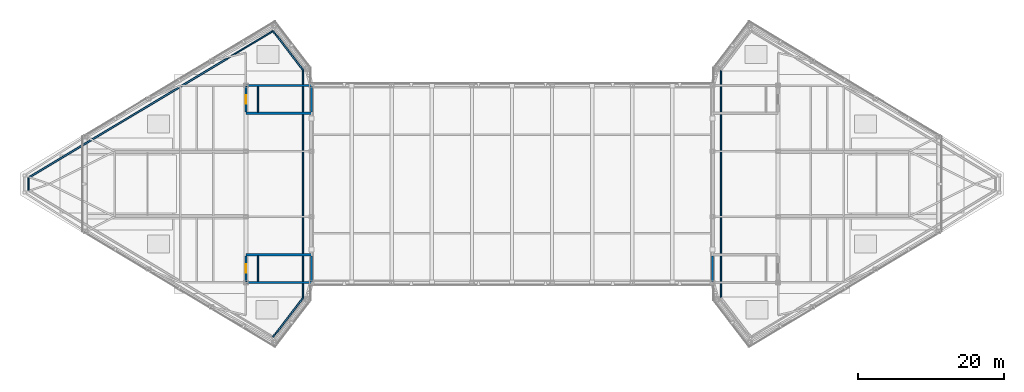
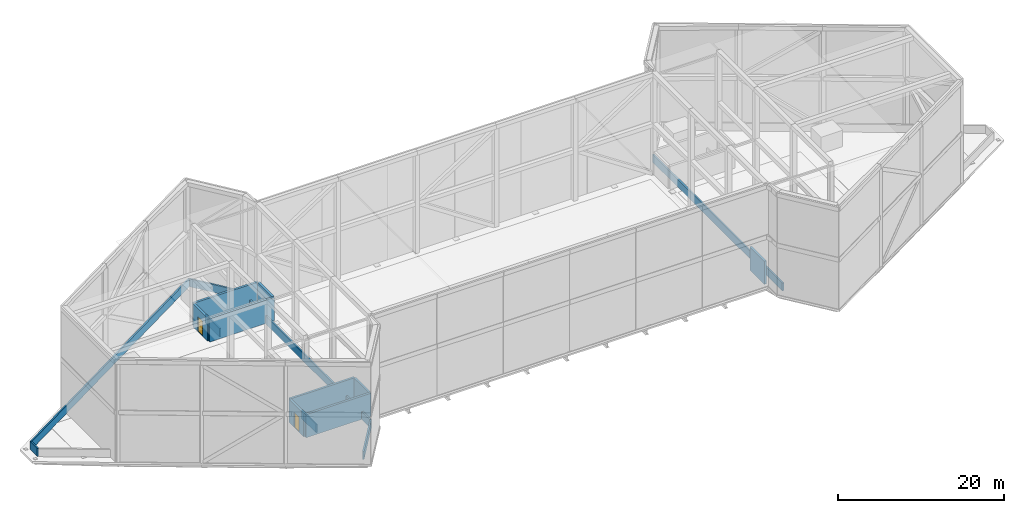
# One storey, part 8 of 16: 17 walls, 2 doors, 2 openings.
"""IFC4 building model written with IfcOpenShell, lengths in metres."""

from ifc_helpers import new_model, si_unit, direction, frame, frame_2d, origin, place, context, subcontext, project, spatial, rectangle, extrude, source, transform, mapped, material, layer, layer_set, type_object, type_shapes, element, fill, save


model = new_model("IFC4")

# Units and contexts
model_context = context("Model", 3, precision=1e-05, world=origin(), true_north=direction((0.0, 1.0)))
body_context = subcontext(model_context, "Body", "Model", "MODEL_VIEW")
ifc_project = project(units=[si_unit("LENGTHUNIT", "METRE"), si_unit("AREAUNIT", "SQUARE_METRE"), si_unit("VOLUMEUNIT", "CUBIC_METRE"), si_unit("PLANEANGLEUNIT", "RADIAN"), si_unit("MASSUNIT", "GRAM", prefix="KILO")], contexts=[model_context])

# Site, building, storey
site_placement = place(None, origin())
site = spatial("IfcSite", under=ifc_project, at=site_placement, CompositionType="ELEMENT")
building_placement = place(site_placement, origin())
building = spatial("IfcBuilding", under=site, at=building_placement, Name="Seokmaru Belvedere", CompositionType="ELEMENT")
storey_placement = place(building_placement, frame((0.0, 0.0, 279.0)))
storey = spatial("IfcBuildingStorey", under=building, at=storey_placement, Name="RF", CompositionType="ELEMENT", Elevation=279.0)

# Walls
ifc_material_1 = material(Name="Concrete C50 (50 MPa)", Category="concrete")
ifc_layer_1 = layer(ifc_material_1, 0.300048828125)
ifc_layer_set_1 = layer_set([ifc_layer_1], Name="Concrete C50 (50 MPa)")
wall_type_1 = type_object("IfcWallType", Name="Internal Core Stair and Hoistway Wall 300", PredefinedType="SHEAR", material=ifc_layer_set_1)
for number, where, z_axis, x_axis, name in (
    (1, (-36.5, -13.5, 0.0), (0.0, 0.0, 1.0), (1.0, 0.0, 0.0), "RF W Stair Shelter Outer Core Wall 1"),
    (2, (-36.5, -9.699951171875, 0.0), (0.0, 0.0, 1.0), (1.0, 0.0, 0.0), "RF W Stair Shelter Inner Core Wall 1"),
):
    element("IfcWall", number, at=place(storey_placement, frame(where, z_axis=z_axis, x_axis=x_axis)), inside=storey, type_object=wall_type_1, Name=name, PredefinedType="SHEAR", context=body_context, shape_type="SweptSolid", body=[
        extrude(rectangle(XDim=9.0, YDim=0.300048828125, at=frame_2d((4.5, 0.0))), origin(), (0.0, 0.0, 1.0), 3.39990234375),
    ])

# Wall, opening, door
wall_1_placement = place(storey_placement, frame((-36.5, -13.35009765625, 0.0), z_axis=(0.0, 0.0, 1.0), x_axis=(0.0, 1.0, 0.0)))
wall_1 = element("IfcWall", 3, at=wall_1_placement, inside=storey, type_object=wall_type_1, Name="RF W Stair Shelter West Core Wall 1", PredefinedType="SHEAR", context=body_context, shape_type="SweptSolid", body=[
    extrude(rectangle(XDim=3.5, YDim=0.300048828125, at=frame_2d((1.75, 0.0))), origin(), (0.0, 0.0, 1.0), 3.39990234375),
])
opening_1_placement = place(wall_1_placement, frame((1.14990234375, 0.0, 0.0)))
opening_1 = element("IfcOpeningElement", 4, at=opening_1_placement, cuts=wall_1, Name="Opening RH1", PredefinedType="OPENING", context=body_context, shape_type="SweptSolid", body=[
    extrude(rectangle(XDim=1.199951171875, YDim=2.199951171875, at=frame_2d((0.60009765625, 1.10009765625))), frame((0.0, 0.16015625, 0.0), z_axis=(0.0, -1.0, 0.0), x_axis=(1.0, 0.0, 0.0)), (0.0, 0.0, 1.0), 0.320068359375),
])
ifc_material_2 = material(Name="Fire-Rated Steel Leaf", Category="steel")
door_type = type_object("IfcDoorType", Name="Weatherproof Fire-Rated Roof Access Trapdoor 1200x2200", OperationType="NOTDEFINED", PredefinedType="TRAPDOOR", material=ifc_material_2)
shared_shape = source(origin(), body_context, "Body", "SweptSolid", [
    extrude(rectangle(XDim=1.199951171875, YDim=2.199951171875, at=frame_2d((0.60009765625, 1.10009765625))), frame((0.0, 0.02490234375, 0.0), z_axis=(0.0, -1.0, 0.0), x_axis=(1.0, 0.0, 0.0)), (0.0, 0.0, 1.0), 0.050048828125),
])
type_shapes(door_type, [shared_shape])
door_1_placement = place(opening_1_placement, origin())
door_1 = element("IfcDoor", 5, at=door_1_placement, inside=storey, type_object=door_type, Name="RF West Stair ST-W1 Roof Access Door", OperationType="SINGLE_SWING_LEFT", OverallHeight=2.199951171875, OverallWidth=1.199951171875, PredefinedType="TRAPDOOR", context=body_context, shape_type="MappedRepresentation", body=[
    mapped(shared_shape, transform((0.0, 0.0, 0.0), scale=1.0)),
])
fill(opening_1, door_1)

# Walls
wall_2_placement = place(storey_placement, frame((-27.5, -13.35009765625, 0.0), z_axis=(0.0, 0.0, 1.0), x_axis=(0.0, 1.0, 0.0)))
element("IfcWall", 6, at=wall_2_placement, inside=storey, type_object=wall_type_1, Name="RF W Stair Shelter East Core Wall 1", PredefinedType="SHEAR", context=body_context, shape_type="SweptSolid", body=[
    extrude(rectangle(XDim=3.5, YDim=0.300048828125, at=frame_2d((1.75, 0.0))), origin(), (0.0, 0.0, 1.0), 3.39990234375),
])
for number, where, z_axis, x_axis, name in (
    (7, (-36.5, 13.5, 0.0), (0.0, 0.0, 1.0), (1.0, 0.0, 0.0), "RF W Stair Shelter Outer Core Wall 2"),
    (8, (-36.5, 9.699951171875, 0.0), (0.0, 0.0, 1.0), (1.0, 0.0, 0.0), "RF W Stair Shelter Inner Core Wall 2"),
):
    element("IfcWall", number, at=place(storey_placement, frame(where, z_axis=z_axis, x_axis=x_axis)), inside=storey, type_object=wall_type_1, Name=name, PredefinedType="SHEAR", context=body_context, shape_type="SweptSolid", body=[
        extrude(rectangle(XDim=9.0, YDim=0.300048828125, at=frame_2d((4.5, 0.0))), origin(), (0.0, 0.0, 1.0), 3.39990234375),
    ])

# Wall, opening, door
wall_3_placement = place(storey_placement, frame((-36.5, 9.85009765625, 0.0), z_axis=(0.0, 0.0, 1.0), x_axis=(0.0, 1.0, 0.0)))
wall_3 = element("IfcWall", 9, at=wall_3_placement, inside=storey, type_object=wall_type_1, Name="RF W Stair Shelter West Core Wall 2", PredefinedType="SHEAR", context=body_context, shape_type="SweptSolid", body=[
    extrude(rectangle(XDim=3.5, YDim=0.300048828125, at=frame_2d((1.75, 0.0))), origin(), (0.0, 0.0, 1.0), 3.39990234375),
])
opening_2_placement = place(wall_3_placement, frame((1.14990234375, 0.0, 0.0)))
opening_2 = element("IfcOpeningElement", 10, at=opening_2_placement, cuts=wall_3, Name="Opening RH1", PredefinedType="OPENING", context=body_context, shape_type="SweptSolid", body=[
    extrude(rectangle(XDim=1.199951171875, YDim=2.199951171875, at=frame_2d((0.60009765625, 1.10009765625))), frame((0.0, 0.16015625, 0.0), z_axis=(0.0, -1.0, 0.0), x_axis=(1.0, 0.0, 0.0)), (0.0, 0.0, 1.0), 0.320068359375),
])
door_2_placement = place(opening_2_placement, origin())
door_2 = element("IfcDoor", 11, at=door_2_placement, inside=storey, type_object=door_type, Name="RF West Stair ST-W2 Roof Access Door", OperationType="SINGLE_SWING_RIGHT", OverallHeight=2.199951171875, OverallWidth=1.199951171875, PredefinedType="TRAPDOOR", context=body_context, shape_type="MappedRepresentation", body=[
    mapped(shared_shape, transform((0.0, 0.0, 0.0), scale=1.0)),
])
fill(opening_2, door_2)

# Walls
for number, where, z_axis, x_axis, name in (
    (12, (-27.5, 9.85009765625, 0.0), (0.0, 0.0, 1.0), (0.0, 1.0, 0.0), "RF W Stair Shelter East Core Wall 2"),
    (13, (27.5, -13.35009765625, 0.0), (0.0, 0.0, 1.0), (0.0, 1.0, 0.0), "RF E Stair Shelter West Core Wall 1"),
):
    element("IfcWall", number, at=place(storey_placement, frame(where, z_axis=z_axis, x_axis=x_axis)), inside=storey, type_object=wall_type_1, Name=name, PredefinedType="SHEAR", context=body_context, shape_type="SweptSolid", body=[
        extrude(rectangle(XDim=3.5, YDim=0.300048828125, at=frame_2d((1.75, 0.0))), origin(), (0.0, 0.0, 1.0), 3.39990234375),
    ])
ifc_material_3 = material(Name="Concrete C40 (40 MPa)", Category="concrete")
ifc_layer_2 = layer(ifc_material_3, 0.219970703125)
ifc_layer_set_2 = layer_set([ifc_layer_2], Name="Concrete C40 (40 MPa)")
wall_type_2 = type_object("IfcWallType", Name="Refuge and Roof Concrete Parapet 220", PredefinedType="PARAPET", material=ifc_layer_set_2)
wall_4_placement = place(storey_placement, frame((-28.64990234375, -15.60888671875, 0.0), z_axis=(0.0, 0.0, 1.0), x_axis=(0.0, 1.0, 0.0)))
element("IfcWall", 14, at=wall_4_placement, inside=storey, type_object=wall_type_2, Name="RF W Plant Deck Curb Parapet 1", PredefinedType="PARAPET", context=body_context, shape_type="SweptSolid", body=[
    extrude(rectangle(XDim=31.2177734375, YDim=0.219970703125, at=frame_2d((15.60888671875, 0.0))), origin(), (0.0, 0.0, 1.0), 1.14990234375),
])
wall_5_placement = place(storey_placement, frame((-28.64990234375, 15.60888671875, 0.0), z_axis=(0.0, 0.0, 1.0), x_axis=(-0.609719455412, 0.792617300904, 0.0)))
element("IfcWall", 15, at=wall_5_placement, inside=storey, type_object=wall_type_2, Name="RF W Plant Deck Curb Parapet 2", PredefinedType="PARAPET", context=body_context, shape_type="SweptSolid", body=[
    extrude(rectangle(XDim=6.784912109375, YDim=0.219970703125, at=frame_2d((3.392578125, 0.0))), origin(), (0.0, 0.0, 1.0), 1.14990234375),
])
wall_6_placement = place(storey_placement, frame((-32.786865234375, 20.98681640625, 0.0), z_axis=(0.0, 0.0, 1.0), x_axis=(-0.857492925713, -0.514495755428, 0.0)))
element("IfcWall", 16, at=wall_6_placement, inside=storey, type_object=wall_type_2, Name="RF W Plant Deck Curb Parapet 3", PredefinedType="PARAPET", context=body_context, shape_type="SweptSolid", body=[
    extrude(rectangle(XDim=39.14111328125, YDim=0.219970703125, at=frame_2d((19.570556640625, 0.0))), origin(), (0.0, 0.0, 1.0), 1.14990234375),
])
wall_7_placement = place(storey_placement, frame((-66.35009765625, 0.848876953125, 0.0), z_axis=(0.0, 0.0, 1.0), x_axis=(0.0, -1.0, 0.0)))
element("IfcWall", 17, at=wall_7_placement, inside=storey, type_object=wall_type_2, Name="RF W Plant Deck Curb Parapet 4", PredefinedType="PARAPET", context=body_context, shape_type="SweptSolid", body=[
    extrude(rectangle(XDim=1.69775390625, YDim=0.219970703125, at=frame_2d((0.848876953125, 0.0))), origin(), (0.0, 0.0, 1.0), 1.14990234375),
])
wall_8_placement = place(storey_placement, frame((-32.786865234375, -20.98681640625, 0.0), z_axis=(0.0, 0.0, 1.0), x_axis=(0.609719455412, 0.792617300904, 0.0)))
element("IfcWall", 18, at=wall_8_placement, inside=storey, type_object=wall_type_2, Name="RF W Plant Deck Curb Parapet 6", PredefinedType="PARAPET", context=body_context, shape_type="SweptSolid", body=[
    extrude(rectangle(XDim=6.784912109375, YDim=0.219970703125, at=frame_2d((3.392578125, 0.0))), origin(), (0.0, 0.0, 1.0), 1.14990234375),
])
wall_9_placement = place(storey_placement, frame((28.64990234375, 15.60888671875, 0.0), z_axis=(0.0, 0.0, 1.0), x_axis=(0.0, -1.0, 0.0)))
element("IfcWall", 19, at=wall_9_placement, inside=storey, type_object=wall_type_2, Name="RF E Plant Deck Curb Parapet 5", PredefinedType="PARAPET", context=body_context, shape_type="SweptSolid", body=[
    extrude(rectangle(XDim=31.2177734375, YDim=0.219970703125, at=frame_2d((15.60888671875, 0.0))), origin(), (0.0, 0.0, 1.0), 1.14990234375),
])
ifc_layer_3 = layer(ifc_material_3, 0.18994140625)
ifc_layer_set_3 = layer_set([ifc_layer_3], Name="Concrete C40 (40 MPa)")
wall_type_3 = type_object("IfcWallType", Name="Roof Stair Curb Concrete Parapet 190", PredefinedType="PARAPET", material=ifc_layer_set_3)
for number, where, z_axis, x_axis, name in (
    (20, (-34.85009765625, -13.35009765625, 0.0), (0.0, 0.0, 1.0), (0.0, 1.0, 0.0), "RF W Stair Top Well Curb Parapet 1"),
    (21, (-34.85009765625, 9.85009765625, 0.0), (0.0, 0.0, 1.0), (0.0, 1.0, 0.0), "RF W Stair Top Well Curb Parapet 2"),
):
    element("IfcWall", number, at=place(storey_placement, frame(where, z_axis=z_axis, x_axis=x_axis)), inside=storey, type_object=wall_type_3, Name=name, PredefinedType="PARAPET", context=body_context, shape_type="SweptSolid", body=[
        extrude(rectangle(XDim=3.5, YDim=0.18994140625, at=frame_2d((1.75, 0.0))), origin(), (0.0, 0.0, 1.0), 1.25),
    ])

save(model, "model.ifc")
